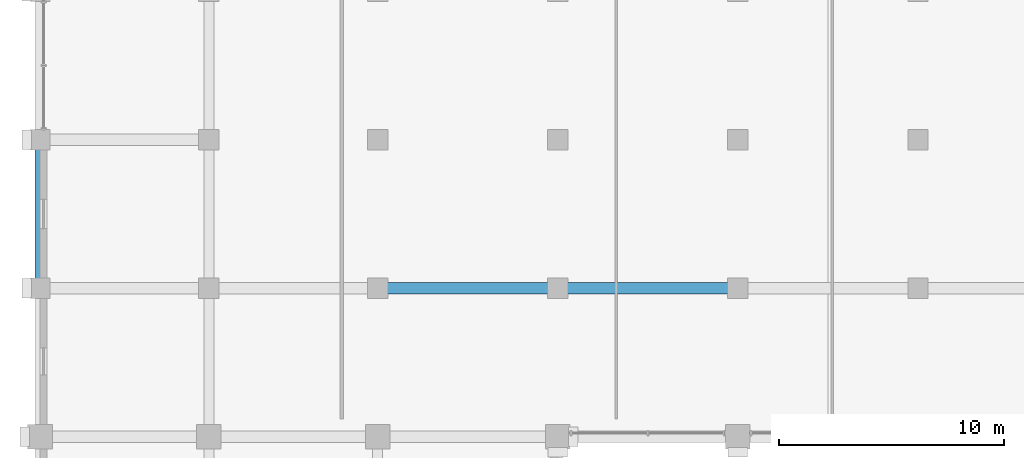
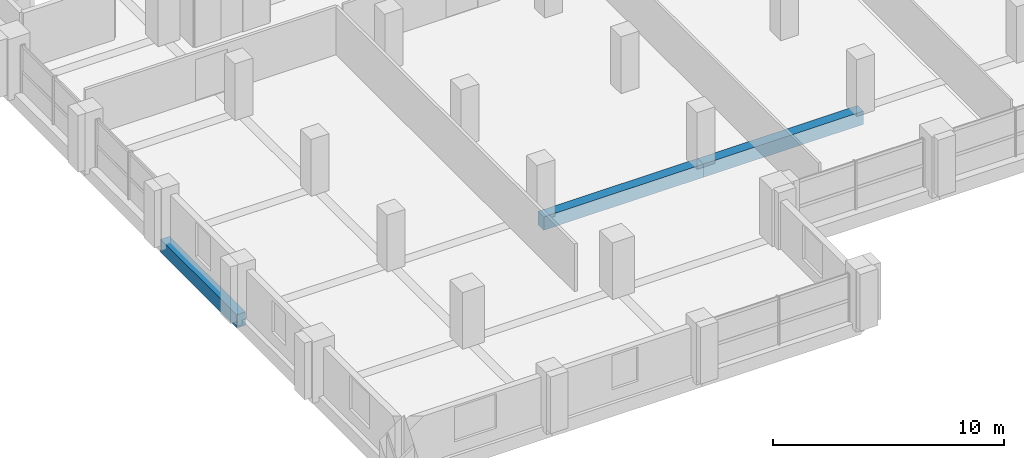
# One storey, part 3 of 21: 3 beams.
"""IFC4 building model written with IfcOpenShell, lengths in metres."""

import ifcopenshell
import ifcopenshell.guid

model = None  # the IFC model being written
_history = None  # IfcOwnerHistory: only IFC2X3 demands one
_inside = {}  # id of a spatial element -> (the spatial element, [elements in it])
_under = {}  # id of a project, library or spatial element -> (it, [spatial elements below it])
_declared = {}  # id of a project -> (the project, [libraries it declares])
_typed = {}  # id of a type object -> (the type object, [elements of that type])
_made_of = {}  # id of a material, layer set ... -> (it, [elements and type objects made of it])


def new_model(schema):
    """Start an empty IFC model of exactly this schema.

    Asked for "IFC4X3", IfcOpenShell would pick the latest addendum, in which some entities
    have other attributes; the version numbers below select the first issue.
    IFC2X3 requires an IfcOwnerHistory on every rooted entity: one is made here for all.
    """
    global model, _history
    if schema == "IFC4X3":
        model = ifcopenshell.file(schema_version=(4, 3, 0, 0))
    else:
        model = ifcopenshell.file(schema=schema)
    _inside.clear()
    _under.clear()
    _declared.clear()
    _typed.clear()
    _made_of.clear()
    _history = None
    if model.schema == "IFC2X3":
        org = make("IfcOrganization", Name="unknown")
        user = make(
            "IfcPersonAndOrganization",
            ThePerson=make("IfcPerson", FamilyName="unknown"),
            TheOrganization=org,
        )
        app = make(
            "IfcApplication",
            ApplicationDeveloper=org,
            Version="unknown",
            ApplicationFullName="unknown",
            ApplicationIdentifier="unknown",
        )
        _history = make(
            "IfcOwnerHistory",
            OwningUser=user,
            OwningApplication=app,
            ChangeAction="ADDED",
            CreationDate=0,
        )
    return model


def make(cls, **values):
    """One entity of the class cls with the attributes given. An attribute that is None is left unset."""
    return model.create_entity(
        cls, **{name: value for name, value in values.items() if value is not None}
    )


def rooted(cls, **values):
    """An entity with a GlobalId (a new one), such as an element, a storey or a relation."""
    return make(cls, GlobalId=ifcopenshell.guid.new(), OwnerHistory=_history, **values)


def si_unit(unit_type, name, prefix=None):
    """IfcSIUnit, for example si_unit("LENGTHUNIT", "METRE", prefix="MILLI")."""
    return make("IfcSIUnit", UnitType=unit_type, Prefix=prefix, Name=name)


def assignment(units):
    """IfcUnitAssignment: the units of a project."""
    return None if units is None else make("IfcUnitAssignment", Units=units)


def point(xyz):
    """IfcCartesianPoint."""
    return None if xyz is None else make("IfcCartesianPoint", Coordinates=xyz)


def direction(xyz):
    """IfcDirection."""
    return None if xyz is None else make("IfcDirection", DirectionRatios=xyz)


def frame(location, z_axis=None, x_axis=None):
    """IfcAxis2Placement3D, a coordinate frame: its origin and axes. An axis left out is left unset."""
    return make(
        "IfcAxis2Placement3D",
        Location=point(location),
        Axis=direction(z_axis),
        RefDirection=direction(x_axis),
    )


def frame_2d(location, x_axis=None):
    """IfcAxis2Placement2D, a coordinate frame in the plane: its origin and x axis."""
    return make(
        "IfcAxis2Placement2D", Location=point(location), RefDirection=direction(x_axis)
    )


def origin():
    """The frame at (0, 0, 0) with its axes left unset."""
    return frame((0.0, 0.0, 0.0))


def origin_2d():
    """The frame at (0, 0) in the plane with its x axis left unset."""
    return frame_2d((0.0, 0.0))


def place(relative_to, where):
    """IfcLocalPlacement: puts the frame where relative to a parent placement (None: the world)."""
    return make(
        "IfcLocalPlacement", PlacementRelTo=relative_to, RelativePlacement=where
    )


def context(
    kind, dimensions, precision=None, world=None, true_north=None, identifier=None
):
    """IfcGeometricRepresentationContext, for example the 3D "Model" context."""
    return make(
        "IfcGeometricRepresentationContext",
        ContextIdentifier=identifier,
        ContextType=kind,
        CoordinateSpaceDimension=dimensions,
        Precision=precision,
        WorldCoordinateSystem=world,
        TrueNorth=true_north,
    )


def subcontext(parent, identifier, kind, view, scale=None):
    """IfcGeometricRepresentationSubContext, for example "Body" below "Model"."""
    return make(
        "IfcGeometricRepresentationSubContext",
        ContextIdentifier=identifier,
        ContextType=kind,
        ParentContext=parent,
        TargetScale=scale,
        TargetView=view,
    )


def project(units=None, contexts=None):
    """IfcProject with its units and contexts."""
    return rooted(
        "IfcProject",
        Name="project",
        RepresentationContexts=contexts,
        UnitsInContext=assignment(units),
    )


def spatial(cls, under=None, at=None, **own):
    """A site, building, storey or space (cls), placed at a placement, below another one or the project."""
    s = rooted(cls, ObjectPlacement=at, **own)
    if under is not None:
        _under.setdefault(under.id(), (under, []))[1].append(s)
    return s


def profile(cls, at=None, kind="AREA", **sizes):
    """A parametric profile (cls). Its sizes go by their IFC names, for example OverallWidth=200.0."""
    return make(cls, ProfileType=kind, Position=at, **sizes)


def rectangle(**sizes):
    """IfcRectangleProfileDef."""
    return profile("IfcRectangleProfileDef", **sizes)


def extrude(swept, where, along, depth):
    """IfcExtrudedAreaSolid: the profile swept, set in the frame where, extruded along a direction by depth."""
    return make(
        "IfcExtrudedAreaSolid",
        SweptArea=swept,
        Position=where,
        ExtrudedDirection=direction(along),
        Depth=depth,
    )


def shape(context_of_items, identifier, shape_type, items):
    """IfcShapeRepresentation: the items that make up one representation, for example the "Body"."""
    return make(
        "IfcShapeRepresentation",
        ContextOfItems=context_of_items,
        RepresentationIdentifier=identifier,
        RepresentationType=shape_type,
        Items=items,
    )


def material(Name=None, Category=None):
    """IfcMaterial."""
    return make("IfcMaterial", Name=Name, Category=Category)


def material_profile(
    of_material, cross_section, Name=None, Category=None, Priority=None
):
    """IfcMaterialProfile: a cross section and its material."""
    return make(
        "IfcMaterialProfile",
        Name=Name,
        Material=of_material,
        Profile=cross_section,
        Priority=Priority,
        Category=Category,
    )


def profile_set(profiles, Name=None, composite=None):
    """IfcMaterialProfileSet."""
    return make(
        "IfcMaterialProfileSet",
        Name=Name,
        MaterialProfiles=profiles,
        CompositeProfile=composite,
    )


def made_of(thing, what):
    """Note that an element or type object is made of a material, layer set ...; save() writes the relation."""
    if what is not None:
        _made_of.setdefault(what.id(), (what, []))[1].append(thing)
    return thing


def type_object(cls, material=None, **own):
    """A type object (cls), such as IfcWallType, which elements share."""
    return made_of(rooted(cls, **own), material)


def element(
    cls,
    number,
    at=None,
    inside=None,
    cuts=None,
    type_object=None,
    material=None,
    context=None,
    identifier="Body",
    shape_type=None,
    held_by="IfcProductDefinitionShape",
    body=None,
    shapes=None,
    **own,
):
    """One element of the class cls, such as IfcWall. Its Tag is "e" and its number.

    at: its placement. inside: the storey or other place that contains it. cuts: it is an
    opening in that element (IfcRelVoidsElement). A single representation is given by context,
    identifier, shape_type and body (its items); several are given by shapes. held_by: the class
    of the entity that holds the representations. save() writes the other relations.
    """
    e = rooted(cls, Tag="e%d" % number, ObjectPlacement=at, **own)
    if body is not None:
        shapes = [shape(context, identifier, shape_type, body)]
    if shapes is not None:
        e.Representation = make(held_by, Representations=shapes)
    if inside is not None:
        _inside.setdefault(inside.id(), (inside, []))[1].append(e)
    if cuts is not None:
        rooted(
            "IfcRelVoidsElement", RelatingBuildingElement=cuts, RelatedOpeningElement=e
        )
    if type_object is not None:
        _typed.setdefault(type_object.id(), (type_object, []))[1].append(e)
    return made_of(e, material)


def aggregate(whole, parts):
    """IfcRelAggregates: a whole, such as a stair, and the parts it consists of."""
    return rooted("IfcRelAggregates", RelatingObject=whole, RelatedObjects=parts)


def save(model, path):
    """Write the relations noted so far, then the file.

    IfcRelAggregates (storeys below a building ...), IfcRelContainedInSpatialStructure (elements
    in a storey), IfcRelDefinesByType, IfcRelAssociatesMaterial and IfcRelDeclares: one each for
    every whole, place, type object, material and project.
    """
    for whole, parts in _under.values():
        aggregate(whole, parts)
    for where, things in _inside.values():
        rooted(
            "IfcRelContainedInSpatialStructure",
            RelatedElements=things,
            RelatingStructure=where,
        )
    for kind, things in _typed.values():
        rooted("IfcRelDefinesByType", RelatedObjects=things, RelatingType=kind)
    for what, things in _made_of.values():
        rooted("IfcRelAssociatesMaterial", RelatedObjects=things, RelatingMaterial=what)
    for by, libraries in _declared.values():
        rooted("IfcRelDeclares", RelatingContext=by, RelatedDefinitions=libraries)
    model.write(path)


model = new_model("IFC4")

# Units and contexts
model_context = context("Model", 3, precision=1e-05, world=origin(), true_north=direction((0.0, 1.0)))
body_context = subcontext(model_context, "Body", "Model", "MODEL_VIEW")
ifc_project = project(units=[si_unit("LENGTHUNIT", "METRE"), si_unit("AREAUNIT", "SQUARE_METRE"), si_unit("VOLUMEUNIT", "CUBIC_METRE"), si_unit("PLANEANGLEUNIT", "RADIAN"), si_unit("MASSUNIT", "GRAM", prefix="KILO")], contexts=[model_context])

# Site, building, storey
site_placement = place(None, origin())
site = spatial("IfcSite", under=ifc_project, at=site_placement, CompositionType="ELEMENT")
building_placement = place(site_placement, origin())
building = spatial("IfcBuilding", under=site, at=building_placement, Name="Akrevak Sports Hall", CompositionType="ELEMENT")
storey_placement = place(building_placement, frame((0.0, 0.0, 34.050048828125)))
storey = spatial("IfcBuildingStorey", under=building, at=storey_placement, Name="L07", CompositionType="ELEMENT", Elevation=34.050048828125)

# Beams
ifc_material = material(Name="Concrete C40/50", Category="concrete")
ifc_material_profile_1 = material_profile(ifc_material, rectangle(XDim=0.449951171875, YDim=0.699951171875, at=origin_2d()), Name="BM 450x700", Category="concrete")
ifc_profile_set_1 = profile_set([ifc_material_profile_1], Name="Concrete C40/50")
beam_type_1 = type_object("IfcBeamType", Name="STR-BM-RC450x700", PredefinedType="BEAM", material=ifc_profile_set_1)
beam_placement = place(storey_placement, frame((45.0, 35.39990234375, -0.35009765625), z_axis=(0.0, 1.0, 0.0), x_axis=(-1.0, 0.0, 0.0)))
element("IfcBeam", 1, at=beam_placement, inside=storey, type_object=beam_type_1, Name="Girder 7/F-G (L07)", PredefinedType="BEAM", context=body_context, shape_type="SweptSolid", body=[
    extrude(rectangle(XDim=0.449951171875, YDim=0.699951171875, at=origin_2d()), origin(), (0.0, 0.0, 1.0), 6.60009765625),
])
ifc_material_profile_2 = material_profile(ifc_material, rectangle(XDim=0.5, YDim=0.699951171875, at=origin_2d()), Name="BM 500x700", Category="concrete")
ifc_profile_set_2 = profile_set([ifc_material_profile_2], Name="Concrete C40/50")
beam_type_2 = type_object("IfcBeamType", Name="STR-BM-RC500x700", PredefinedType="BEAM", material=ifc_profile_set_2)
for number, where, z_axis, x_axis, name in (
    (2, (60.0, 35.39990234375, -0.35009765625), (1.0, 0.0, 0.0), (0.0, 1.0, 0.0), "Girder F/9-10 (L07)"),
    (3, (68.0, 35.39990234375, -0.35009765625), (1.0, 0.0, 0.0), (0.0, 1.0, 0.0), "Girder F/10-11 (L07)"),
):
    element("IfcBeam", number, at=place(storey_placement, frame(where, z_axis=z_axis, x_axis=x_axis)), inside=storey, type_object=beam_type_2, Name=name, PredefinedType="BEAM", context=body_context, shape_type="SweptSolid", body=[
        extrude(rectangle(XDim=0.5, YDim=0.699951171875, at=origin_2d()), origin(), (0.0, 0.0, 1.0), 8.0),
    ])

save(model, "model.ifc")
